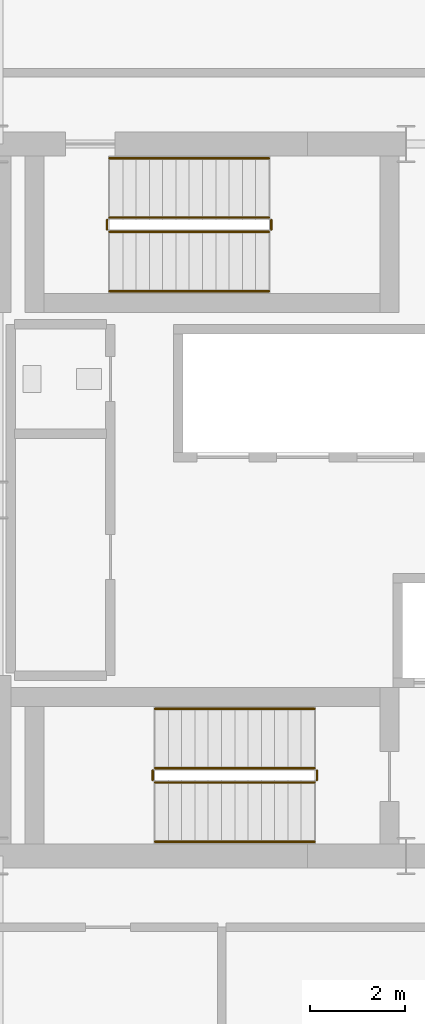
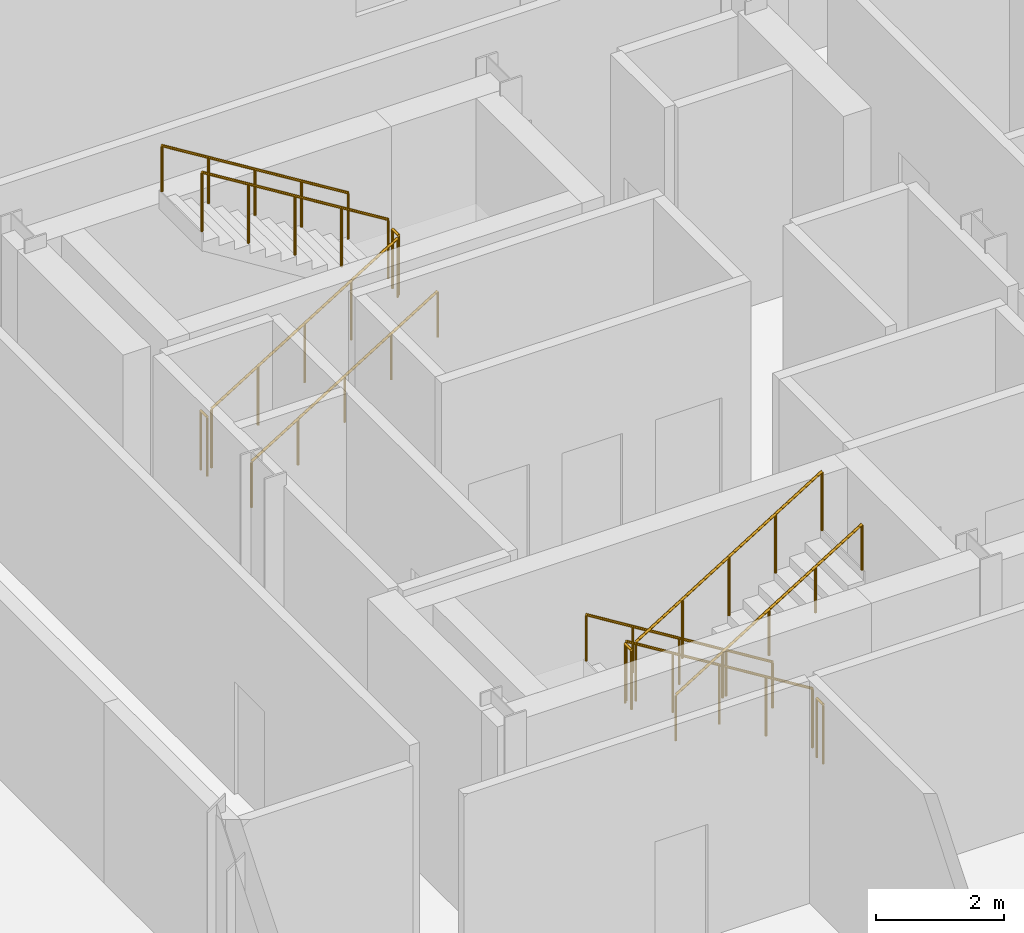
# One storey, part 8 of 9: 12 railings.
"""IFC4 building model written with IfcOpenShell, lengths in metres."""

from ifc_helpers import new_model, si_unit, direction, frame, origin, origin_2d, place, context, subcontext, project, spatial, circle, extrude, material, type_object, element, save


model = new_model("IFC4")

# Units and contexts
model_context = context("Model", 3, precision=1e-05, world=origin(), true_north=direction((0.0, 1.0)))
body_context = subcontext(model_context, "Body", "Model", "MODEL_VIEW")
ifc_project = project(units=[si_unit("LENGTHUNIT", "METRE"), si_unit("AREAUNIT", "SQUARE_METRE"), si_unit("VOLUMEUNIT", "CUBIC_METRE"), si_unit("PLANEANGLEUNIT", "RADIAN"), si_unit("MASSUNIT", "GRAM", prefix="KILO")], contexts=[model_context])

# Site, building, storey
site_placement = place(None, origin())
site = spatial("IfcSite", under=ifc_project, at=site_placement, CompositionType="ELEMENT")
building_placement = place(site_placement, origin())
building = spatial("IfcBuilding", under=site, at=building_placement, Name="Barlavira Tower and Art Museum", CompositionType="ELEMENT")
storey_placement = place(building_placement, frame((0.0, 0.0, 309.89990234375)))
storey = spatial("IfcBuildingStorey", under=building, at=storey_placement, Name="L81", CompositionType="ELEMENT", Elevation=309.89990234375)

# Railings
ifc_material = material(Name="Brushed stainless steel", Category="steel")
railing_type_1 = type_object("IfcRailingType", Name="Interior Void and Landing Guard Railing 1150", PredefinedType="GUARDRAIL", material=ifc_material)
railing_1_placement = place(storey_placement, frame((0.14990234375, -5.64990234375, 0.173095703125)))
element("IfcRailing", 1, at=railing_1_placement, inside=storey, type_object=railing_type_1, Name="L81 ST-T1 stair guard 1", PredefinedType="GUARDRAIL", context=body_context, shape_type="SweptSolid", body=[
    extrude(circle(Radius=0.02392578125, at=origin_2d()), frame((0.0, 0.0, 1.1259765625), z_axis=(-0.850606129759, 0.0, 0.525803396734), x_axis=(0.0, -1.0, 0.0)), (0.0, 0.0, 1.0), 3.949951171875),
    extrude(circle(Radius=0.02099609375, at=origin_2d()), origin(), (0.0, 0.0, 1.0), 1.101806640625),
    extrude(circle(Radius=0.02099609375, at=origin_2d()), frame((-0.83984375, 0.0, 0.519287109375)), (0.0, 0.0, 1.0), 1.101806640625),
    extrude(circle(Radius=0.02099609375, at=origin_2d()), frame((-1.679931640625, 0.0, 1.03857421875)), (0.0, 0.0, 1.0), 1.101806640625),
    extrude(circle(Radius=0.02099609375, at=origin_2d()), frame((-2.52001953125, 0.0, 1.5576171875)), (0.0, 0.0, 1.0), 1.101806640625),
    extrude(circle(Radius=0.02099609375, at=origin_2d()), frame((-3.35986328125, 0.0, 2.076904296875)), (0.0, 0.0, 1.0), 1.101806640625),
])
railing_2_placement = place(storey_placement, frame((-3.260009765625, -5.699951171875, 2.25)))
element("IfcRailing", 2, at=railing_2_placement, inside=storey, type_object=railing_type_1, Name="L81 ST-T1 stair guard 2", PredefinedType="GUARDRAIL", context=body_context, shape_type="SweptSolid", body=[
    extrude(circle(Radius=0.02392578125, at=origin_2d()), frame((0.0, 0.0, 1.1259765625), z_axis=(0.0, -1.0, 0.0), x_axis=(1.0, 0.0, 0.0)), (0.0, 0.0, 1.0), 0.199951171875),
    extrude(circle(Radius=0.02099609375, at=origin_2d()), origin(), (0.0, 0.0, 1.0), 1.101806640625),
    extrude(circle(Radius=0.02099609375, at=origin_2d()), frame((0.0, -0.199951171875, 0.0)), (0.0, 0.0, 1.0), 1.101806640625),
])
railing_3_placement = place(storey_placement, frame((-3.2099609375, -5.949951171875, 2.423095703125)))
element("IfcRailing", 3, at=railing_3_placement, inside=storey, type_object=railing_type_1, Name="L81 ST-T1 stair guard 3", PredefinedType="GUARDRAIL", context=body_context, shape_type="SweptSolid", body=[
    extrude(circle(Radius=0.02392578125, at=origin_2d()), frame((0.0, 0.0, 1.1259765625), z_axis=(0.850606129759, 0.0, 0.525803396734), x_axis=(0.0, 1.0, 0.0)), (0.0, 0.0, 1.0), 3.949951171875),
    extrude(circle(Radius=0.02099609375, at=origin_2d()), origin(), (0.0, 0.0, 1.0), 1.101806640625),
    extrude(circle(Radius=0.02099609375, at=origin_2d()), frame((0.83984375, 0.0, 0.519287109375)), (0.0, 0.0, 1.0), 1.101806640625),
    extrude(circle(Radius=0.02099609375, at=origin_2d()), frame((1.679931640625, 0.0, 1.03857421875)), (0.0, 0.0, 1.0), 1.101806640625),
    extrude(circle(Radius=0.02099609375, at=origin_2d()), frame((2.52001953125, 0.0, 1.5576171875)), (0.0, 0.0, 1.0), 1.101806640625),
    extrude(circle(Radius=0.02099609375, at=origin_2d()), frame((3.35986328125, 0.0, 2.076904296875)), (0.0, 0.0, 1.0), 1.101806640625),
])
railing_4_placement = place(storey_placement, frame((0.199951171875, -5.699951171875, 0.0)))
element("IfcRailing", 4, at=railing_4_placement, inside=storey, type_object=railing_type_1, Name="L81 ST-T1 stair guard 4", PredefinedType="GUARDRAIL", context=body_context, shape_type="SweptSolid", body=[
    extrude(circle(Radius=0.02392578125, at=origin_2d()), frame((0.0, 0.0, 1.1259765625), z_axis=(0.0, -1.0, 0.0), x_axis=(1.0, 0.0, 0.0)), (0.0, 0.0, 1.0), 0.199951171875),
    extrude(circle(Radius=0.02099609375, at=origin_2d()), origin(), (0.0, 0.0, 1.0), 1.101806640625),
    extrude(circle(Radius=0.02099609375, at=origin_2d()), frame((0.0, -0.199951171875, 0.0)), (0.0, 0.0, 1.0), 1.101806640625),
])
railing_5_placement = place(storey_placement, frame((-4.169921875, 5.64990234375, 0.173095703125)))
element("IfcRailing", 5, at=railing_5_placement, inside=storey, type_object=railing_type_1, Name="L81 ST-T2 stair guard 1", PredefinedType="GUARDRAIL", context=body_context, shape_type="SweptSolid", body=[
    extrude(circle(Radius=0.02392578125, at=origin_2d()), frame((0.0, 0.0, 1.1259765625), z_axis=(0.850606129759, 0.0, 0.525803396734), x_axis=(0.0, 1.0, 0.0)), (0.0, 0.0, 1.0), 3.949951171875),
    extrude(circle(Radius=0.02099609375, at=origin_2d()), origin(), (0.0, 0.0, 1.0), 1.101806640625),
    extrude(circle(Radius=0.02099609375, at=origin_2d()), frame((0.83984375, 0.0, 0.519287109375)), (0.0, 0.0, 1.0), 1.101806640625),
    extrude(circle(Radius=0.02099609375, at=origin_2d()), frame((1.679931640625, 0.0, 1.03857421875)), (0.0, 0.0, 1.0), 1.101806640625),
    extrude(circle(Radius=0.02099609375, at=origin_2d()), frame((2.52001953125, 0.0, 1.5576171875)), (0.0, 0.0, 1.0), 1.101806640625),
    extrude(circle(Radius=0.02099609375, at=origin_2d()), frame((3.35986328125, 0.0, 2.076904296875)), (0.0, 0.0, 1.0), 1.101806640625),
])
railing_6_placement = place(storey_placement, frame((-0.760009765625, 5.699951171875, 2.25)))
element("IfcRailing", 6, at=railing_6_placement, inside=storey, type_object=railing_type_1, Name="L81 ST-T2 stair guard 2", PredefinedType="GUARDRAIL", context=body_context, shape_type="SweptSolid", body=[
    extrude(circle(Radius=0.02392578125, at=origin_2d()), frame((0.0, 0.0, 1.1259765625), z_axis=(0.0, 1.0, 0.0), x_axis=(-1.0, 0.0, 0.0)), (0.0, 0.0, 1.0), 0.199951171875),
    extrude(circle(Radius=0.02099609375, at=origin_2d()), origin(), (0.0, 0.0, 1.0), 1.101806640625),
    extrude(circle(Radius=0.02099609375, at=origin_2d()), frame((0.0, 0.199951171875, 0.0)), (0.0, 0.0, 1.0), 1.101806640625),
])
railing_7_placement = place(storey_placement, frame((-0.81005859375, 5.949951171875, 2.423095703125)))
element("IfcRailing", 7, at=railing_7_placement, inside=storey, type_object=railing_type_1, Name="L81 ST-T2 stair guard 3", PredefinedType="GUARDRAIL", context=body_context, shape_type="SweptSolid", body=[
    extrude(circle(Radius=0.02392578125, at=origin_2d()), frame((0.0, 0.0, 1.1259765625), z_axis=(-0.850606129759, 0.0, 0.525803396734), x_axis=(0.0, -1.0, 0.0)), (0.0, 0.0, 1.0), 3.949951171875),
    extrude(circle(Radius=0.02099609375, at=origin_2d()), origin(), (0.0, 0.0, 1.0), 1.101806640625),
    extrude(circle(Radius=0.02099609375, at=origin_2d()), frame((-0.83984375, 0.0, 0.519287109375)), (0.0, 0.0, 1.0), 1.101806640625),
    extrude(circle(Radius=0.02099609375, at=origin_2d()), frame((-1.679931640625, 0.0, 1.03857421875)), (0.0, 0.0, 1.0), 1.101806640625),
    extrude(circle(Radius=0.02099609375, at=origin_2d()), frame((-2.52001953125, 0.0, 1.5576171875)), (0.0, 0.0, 1.0), 1.101806640625),
    extrude(circle(Radius=0.02099609375, at=origin_2d()), frame((-3.35986328125, 0.0, 2.076904296875)), (0.0, 0.0, 1.0), 1.101806640625),
])
railing_8_placement = place(storey_placement, frame((-4.219970703125, 5.699951171875, 0.0)))
element("IfcRailing", 8, at=railing_8_placement, inside=storey, type_object=railing_type_1, Name="L81 ST-T2 stair guard 4", PredefinedType="GUARDRAIL", context=body_context, shape_type="SweptSolid", body=[
    extrude(circle(Radius=0.02392578125, at=origin_2d()), frame((0.0, 0.0, 1.1259765625), z_axis=(0.0, 1.0, 0.0), x_axis=(-1.0, 0.0, 0.0)), (0.0, 0.0, 1.0), 0.199951171875),
    extrude(circle(Radius=0.02099609375, at=origin_2d()), origin(), (0.0, 0.0, 1.0), 1.101806640625),
    extrude(circle(Radius=0.02099609375, at=origin_2d()), frame((0.0, 0.199951171875, 0.0)), (0.0, 0.0, 1.0), 1.101806640625),
])
railing_type_2 = type_object("IfcRailingType", Name="Stair Pitch Tubular Steel Handrail 920", PredefinedType="HANDRAIL", material=ifc_material)
railing_9_placement = place(storey_placement, frame((0.14990234375, -4.39990234375, 0.173095703125)))
element("IfcRailing", 9, at=railing_9_placement, inside=storey, type_object=railing_type_2, Name="L81 ST-T1 stair handrail 1", PredefinedType="HANDRAIL", context=body_context, shape_type="SweptSolid", body=[
    extrude(circle(Radius=0.02392578125, at=origin_2d()), frame((0.0, 0.0, 0.8759765625), z_axis=(-0.850606129759, 0.0, 0.525803396734), x_axis=(0.0, -1.0, 0.0)), (0.0, 0.0, 1.0), 3.949951171875),
    extrude(circle(Radius=0.02099609375, at=origin_2d()), origin(), (0.0, 0.0, 1.0), 0.851806640625),
    extrude(circle(Radius=0.02099609375, at=origin_2d()), frame((-0.83984375, 0.0, 0.519287109375)), (0.0, 0.0, 1.0), 0.851806640625),
    extrude(circle(Radius=0.02099609375, at=origin_2d()), frame((-1.679931640625, 0.0, 1.03857421875)), (0.0, 0.0, 1.0), 0.851806640625),
    extrude(circle(Radius=0.02099609375, at=origin_2d()), frame((-2.52001953125, 0.0, 1.5576171875)), (0.0, 0.0, 1.0), 0.851806640625),
    extrude(circle(Radius=0.02099609375, at=origin_2d()), frame((-3.35986328125, 0.0, 2.076904296875)), (0.0, 0.0, 1.0), 0.851806640625),
])
for number, where, name in (
    (10, (-3.2099609375, -7.199951171875, 2.423095703125), "L81 ST-T1 stair handrail 2"),
    (11, (-4.169921875, 4.39990234375, 0.173095703125), "L81 ST-T2 stair handrail 1"),
):
    element("IfcRailing", number, at=place(storey_placement, frame(where)), inside=storey, type_object=railing_type_2, Name=name, PredefinedType="HANDRAIL", context=body_context, shape_type="SweptSolid", body=[
        extrude(circle(Radius=0.02392578125, at=origin_2d()), frame((0.0, 0.0, 0.8759765625), z_axis=(0.850606129759, 0.0, 0.525803396734), x_axis=(0.0, 1.0, 0.0)), (0.0, 0.0, 1.0), 3.949951171875),
        extrude(circle(Radius=0.02099609375, at=origin_2d()), origin(), (0.0, 0.0, 1.0), 0.851806640625),
        extrude(circle(Radius=0.02099609375, at=origin_2d()), frame((0.83984375, 0.0, 0.519287109375)), (0.0, 0.0, 1.0), 0.851806640625),
        extrude(circle(Radius=0.02099609375, at=origin_2d()), frame((1.679931640625, 0.0, 1.03857421875)), (0.0, 0.0, 1.0), 0.851806640625),
        extrude(circle(Radius=0.02099609375, at=origin_2d()), frame((2.52001953125, 0.0, 1.5576171875)), (0.0, 0.0, 1.0), 0.851806640625),
        extrude(circle(Radius=0.02099609375, at=origin_2d()), frame((3.35986328125, 0.0, 2.076904296875)), (0.0, 0.0, 1.0), 0.851806640625),
    ])
railing_10_placement = place(storey_placement, frame((-0.81005859375, 7.199951171875, 2.423095703125)))
element("IfcRailing", 12, at=railing_10_placement, inside=storey, type_object=railing_type_2, Name="L81 ST-T2 stair handrail 2", PredefinedType="HANDRAIL", context=body_context, shape_type="SweptSolid", body=[
    extrude(circle(Radius=0.02392578125, at=origin_2d()), frame((0.0, 0.0, 0.8759765625), z_axis=(-0.850606129759, 0.0, 0.525803396734), x_axis=(0.0, -1.0, 0.0)), (0.0, 0.0, 1.0), 3.949951171875),
    extrude(circle(Radius=0.02099609375, at=origin_2d()), origin(), (0.0, 0.0, 1.0), 0.851806640625),
    extrude(circle(Radius=0.02099609375, at=origin_2d()), frame((-0.83984375, 0.0, 0.519287109375)), (0.0, 0.0, 1.0), 0.851806640625),
    extrude(circle(Radius=0.02099609375, at=origin_2d()), frame((-1.679931640625, 0.0, 1.03857421875)), (0.0, 0.0, 1.0), 0.851806640625),
    extrude(circle(Radius=0.02099609375, at=origin_2d()), frame((-2.52001953125, 0.0, 1.5576171875)), (0.0, 0.0, 1.0), 0.851806640625),
    extrude(circle(Radius=0.02099609375, at=origin_2d()), frame((-3.35986328125, 0.0, 2.076904296875)), (0.0, 0.0, 1.0), 0.851806640625),
])

save(model, "model.ifc")
